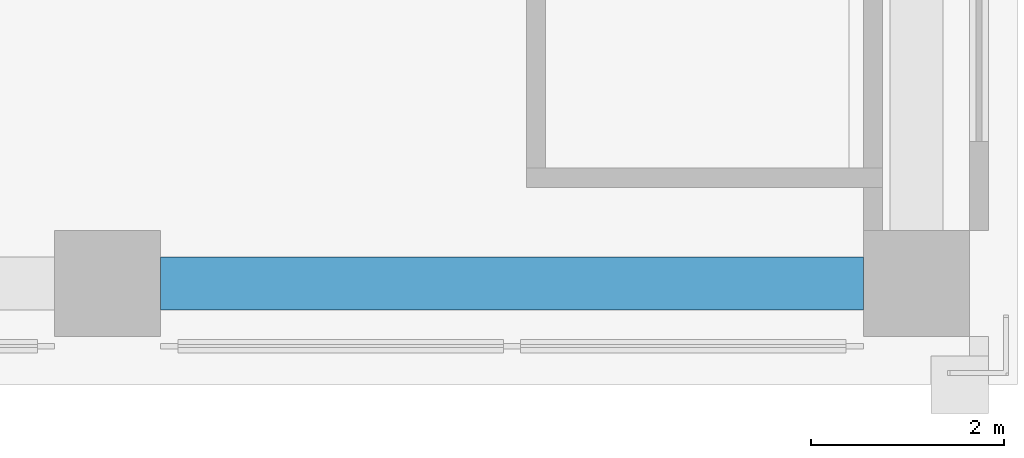
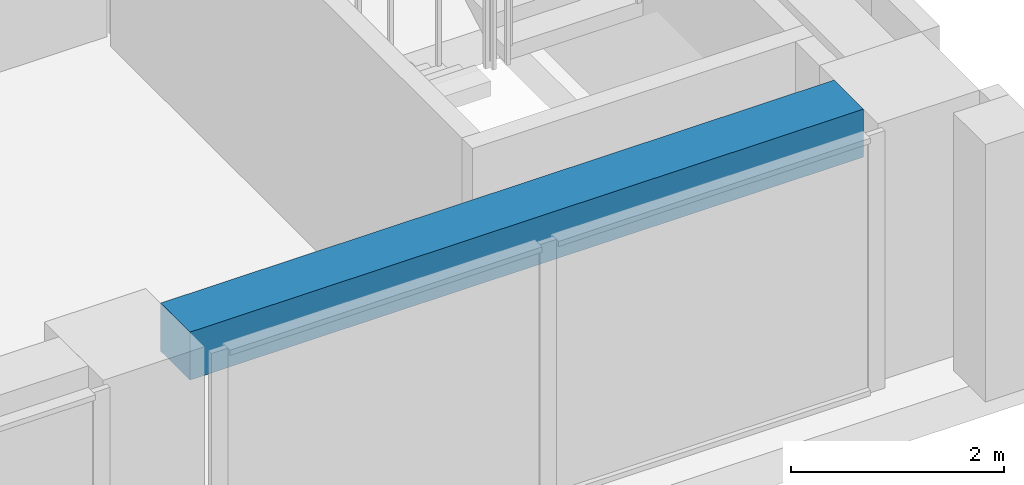
# One storey, part 3 of 16: 1 beam.
"""IFC4 building model written with IfcOpenShell, lengths in metres."""

from ifc_helpers import new_model, si_unit, direction, frame, origin, origin_2d, place, context, subcontext, project, spatial, rectangle, extrude, material, material_profile, profile_set, type_object, element, save


model = new_model("IFC4")

# Units and contexts
model_context = context("Model", 3, precision=1e-05, world=origin(), true_north=direction((0.0, 1.0)))
body_context = subcontext(model_context, "Body", "Model", "MODEL_VIEW")
ifc_project = project(units=[si_unit("LENGTHUNIT", "METRE"), si_unit("AREAUNIT", "SQUARE_METRE"), si_unit("VOLUMEUNIT", "CUBIC_METRE"), si_unit("PLANEANGLEUNIT", "RADIAN"), si_unit("MASSUNIT", "GRAM", prefix="KILO")], contexts=[model_context])

# Site, building, storey
site_placement = place(None, origin())
site = spatial("IfcSite", under=ifc_project, at=site_placement, CompositionType="ELEMENT")
building_placement = place(site_placement, origin())
building = spatial("IfcBuilding", under=site, at=building_placement, Name="Vermilion Ogive Tower", CompositionType="ELEMENT")
storey_placement = place(building_placement, frame((0.0, 0.0, 167.60009765625)))
storey = spatial("IfcBuildingStorey", under=building, at=storey_placement, Name="L43", CompositionType="ELEMENT", Elevation=167.60009765625)

# Beam
ifc_material = material(Name="Concrete B45", Category="concrete")
ifc_material_profile = material_profile(ifc_material, rectangle(XDim=0.550048828125, YDim=0.550048828125, at=origin_2d()), Name="550 x 550")
ifc_profile_set = profile_set([ifc_material_profile], Name="Concrete B45")
beam_type = type_object("IfcBeamType", Name="Edge beam 550 x 550 B45", PredefinedType="BEAM", material=ifc_profile_set)
beam_placement = place(storey_placement, frame((4.75, -21.0, 2.6748046875), z_axis=(1.0, 0.0, 0.0), x_axis=(0.0, 1.0, 0.0)))
element("IfcBeam", 1, at=beam_placement, inside=storey, type_object=beam_type, Name="L43-EB-3", PredefinedType="BEAM", context=body_context, shape_type="SweptSolid", body=[
    extrude(rectangle(XDim=0.550048828125, YDim=0.550048828125, at=origin_2d()), origin(), (0.0, 0.0, 1.0), 7.300048828125),
])

save(model, "model.ifc")
